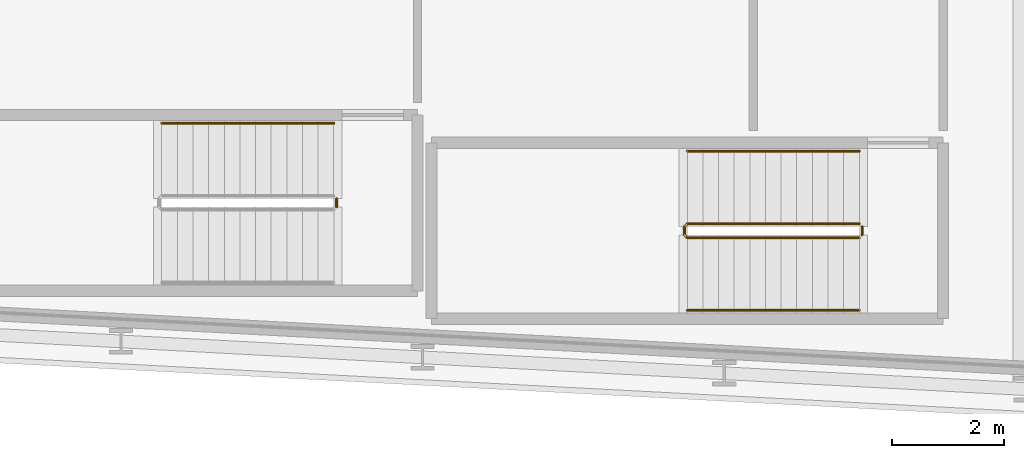
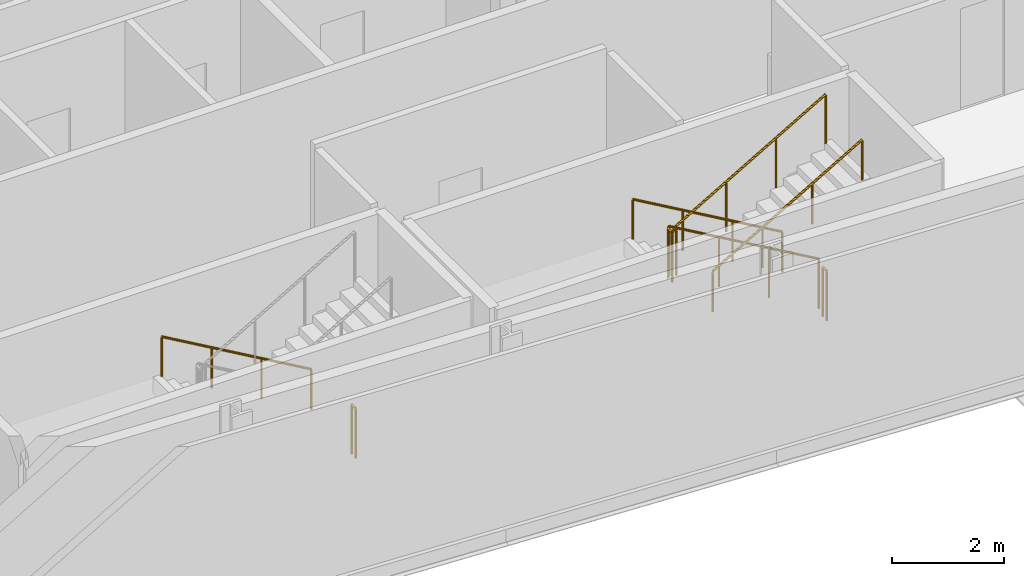
# One storey, part 26 of 29: 6 railings.
"""IFC4 building model written with IfcOpenShell, lengths in metres."""

from ifc_helpers import new_model, si_unit, direction, frame, origin, origin_2d, place, context, subcontext, project, spatial, circle, extrude, material, type_object, element, save


model = new_model("IFC4")

# Units and contexts
model_context = context("Model", 3, precision=1e-05, world=origin(), true_north=direction((0.0, 1.0)))
body_context = subcontext(model_context, "Body", "Model", "MODEL_VIEW")
ifc_project = project(units=[si_unit("LENGTHUNIT", "METRE"), si_unit("AREAUNIT", "SQUARE_METRE"), si_unit("VOLUMEUNIT", "CUBIC_METRE"), si_unit("PLANEANGLEUNIT", "RADIAN"), si_unit("MASSUNIT", "GRAM", prefix="KILO")], contexts=[model_context])

# Site, building, storey
site_placement = place(None, origin())
site = spatial("IfcSite", under=ifc_project, at=site_placement, CompositionType="ELEMENT")
building_placement = place(site_placement, origin())
building = spatial("IfcBuilding", under=site, at=building_placement, Name="Kheshtan School and Residences Tower", CompositionType="ELEMENT")
storey_placement = place(building_placement, frame((0.0, 0.0, 121.39990234375)))
storey = spatial("IfcBuildingStorey", under=building, at=storey_placement, Name="L28", CompositionType="ELEMENT", Elevation=121.39990234375)

# Railings
ifc_material_1 = material(Name="Stainless steel balustrade", Category="steel")
railing_type_1 = type_object("IfcRailingType", Name="Stair guard 1100", PredefinedType="GUARDRAIL", material=ifc_material_1)
railing_1_placement = place(storey_placement, frame((87.820068359375, 23.949951171875, 0.16259765625)))
element("IfcRailing", 1, at=railing_1_placement, inside=storey, type_object=railing_type_1, Name="L28 ST4 stair guard 1", PredefinedType="GUARDRAIL", context=body_context, shape_type="SweptSolid", body=[
    extrude(circle(Radius=0.02392578125, at=origin_2d()), frame((0.0, 0.0, 1.076171875), z_axis=(-0.864890721111, 0.0, 0.501960198159), x_axis=(0.0, -1.0, 0.0)), (0.0, 0.0, 1.0), 3.561279296875),
    extrude(circle(Radius=0.02392578125, at=origin_2d()), frame((-3.080078125, 0.0, 2.86376953125), z_axis=(-0.707106781187, -0.707106781187, 0.0), x_axis=(0.707106781187, -0.707106781187, 0.0)), (0.0, 0.0, 1.0), 0.07080078125),
    extrude(circle(Radius=0.02392578125, at=origin_2d()), frame((-3.130126953125, -0.050048828125, 2.86376953125), z_axis=(0.0, -1.0, 0.0), x_axis=(1.0, 0.0, 0.0)), (0.0, 0.0, 1.0), 0.14990234375),
    extrude(circle(Radius=0.02392578125, at=origin_2d()), frame((-3.130126953125, -0.199951171875, 2.86376953125), z_axis=(0.282583949758, -0.282583949758, 0.916674763849), x_axis=(0.707106781187, 0.707106781187, 0.0)), (0.0, 0.0, 1.0), 0.177001953125),
    extrude(circle(Radius=0.02392578125, at=origin_2d()), frame((-3.080078125, -0.25, 3.02587890625), z_axis=(0.864890721111, 0.0, 0.501960198159), x_axis=(0.0, 1.0, 0.0)), (0.0, 0.0, 1.0), 3.561279296875),
    extrude(circle(Radius=0.02099609375, at=origin_2d()), origin(), (0.0, 0.0, 1.0), 1.052001953125),
    extrude(circle(Radius=0.02099609375, at=origin_2d()), frame((-1.026611328125, 0.0, 0.595947265625)), (0.0, 0.0, 1.0), 1.052001953125),
    extrude(circle(Radius=0.02099609375, at=origin_2d()), frame((-2.053466796875, 0.0, 1.191650390625)), (0.0, 0.0, 1.0), 1.052001953125),
    extrude(circle(Radius=0.02099609375, at=origin_2d()), frame((-3.080078125, 0.0, 1.78759765625)), (0.0, 0.0, 1.0), 1.052001953125),
    extrude(circle(Radius=0.02099609375, at=origin_2d()), frame((-3.130126953125, -0.050048828125, 1.78759765625)), (0.0, 0.0, 1.0), 1.052001953125),
    extrude(circle(Radius=0.02099609375, at=origin_2d()), frame((-3.130126953125, -0.199951171875, 1.78759765625)), (0.0, 0.0, 1.0), 1.052001953125),
    extrude(circle(Radius=0.02099609375, at=origin_2d()), frame((-3.080078125, -0.25, 1.949951171875)), (0.0, 0.0, 1.0), 1.052001953125),
    extrude(circle(Radius=0.02099609375, at=origin_2d()), frame((-2.053466796875, -0.25, 2.5458984375)), (0.0, 0.0, 1.0), 1.052001953125),
    extrude(circle(Radius=0.02099609375, at=origin_2d()), frame((-1.026611328125, -0.25, 3.1416015625)), (0.0, 0.0, 1.0), 1.052001953125),
    extrude(circle(Radius=0.02099609375, at=origin_2d()), frame((0.0, -0.25, 3.737548828125)), (0.0, 0.0, 1.0), 1.052001953125),
])
for number, where, name in (
    (2, (87.8701171875, 23.89990234375, 0.0), "L28 ST4 stair guard 2"),
    (3, (78.4599609375, 24.39990234375, 0.0), "L28 ST5 stair guard 2"),
):
    element("IfcRailing", number, at=place(storey_placement, frame(where)), inside=storey, type_object=railing_type_1, Name=name, PredefinedType="GUARDRAIL", context=body_context, shape_type="SweptSolid", body=[
        extrude(circle(Radius=0.02392578125, at=origin_2d()), frame((0.0, 0.0, 1.076171875), z_axis=(0.0, -1.0, 0.0), x_axis=(1.0, 0.0, 0.0)), (0.0, 0.0, 1.0), 0.14990234375),
        extrude(circle(Radius=0.02099609375, at=origin_2d()), origin(), (0.0, 0.0, 1.0), 1.052001953125),
        extrude(circle(Radius=0.02099609375, at=origin_2d()), frame((0.0, -0.14990234375, 0.0)), (0.0, 0.0, 1.0), 1.052001953125),
    ])
ifc_material_2 = material(Name="Stainless steel handrail", Category="steel")
railing_type_2 = type_object("IfcRailingType", Name="Stair handrail 900", PredefinedType="HANDRAIL", material=ifc_material_2)
railing_2_placement = place(storey_placement, frame((87.820068359375, 25.25, 0.16259765625)))
element("IfcRailing", 4, at=railing_2_placement, inside=storey, type_object=railing_type_2, Name="L28 ST4 stair handrail 1", PredefinedType="HANDRAIL", context=body_context, shape_type="SweptSolid", body=[
    extrude(circle(Radius=0.02392578125, at=origin_2d()), frame((0.0, 0.0, 0.8759765625), z_axis=(-0.864890721111, 0.0, 0.501960198159), x_axis=(0.0, -1.0, 0.0)), (0.0, 0.0, 1.0), 3.561279296875),
    extrude(circle(Radius=0.02099609375, at=origin_2d()), origin(), (0.0, 0.0, 1.0), 0.851806640625),
    extrude(circle(Radius=0.02099609375, at=origin_2d()), frame((-1.026611328125, 0.0, 0.595947265625)), (0.0, 0.0, 1.0), 0.851806640625),
    extrude(circle(Radius=0.02099609375, at=origin_2d()), frame((-2.053466796875, 0.0, 1.191650390625)), (0.0, 0.0, 1.0), 0.851806640625),
    extrude(circle(Radius=0.02099609375, at=origin_2d()), frame((-3.080078125, 0.0, 1.78759765625)), (0.0, 0.0, 1.0), 0.851806640625),
])
railing_3_placement = place(storey_placement, frame((84.739990234375, 22.39990234375, 2.112548828125)))
element("IfcRailing", 5, at=railing_3_placement, inside=storey, type_object=railing_type_2, Name="L28 ST4 stair handrail 2", PredefinedType="HANDRAIL", context=body_context, shape_type="SweptSolid", body=[
    extrude(circle(Radius=0.02392578125, at=origin_2d()), frame((0.0, 0.0, 0.8759765625), z_axis=(0.864890721111, 0.0, 0.501960198159), x_axis=(0.0, 1.0, 0.0)), (0.0, 0.0, 1.0), 3.561279296875),
    extrude(circle(Radius=0.02099609375, at=origin_2d()), origin(), (0.0, 0.0, 1.0), 0.851806640625),
    extrude(circle(Radius=0.02099609375, at=origin_2d()), frame((1.026611328125, 0.0, 0.595947265625)), (0.0, 0.0, 1.0), 0.851806640625),
    extrude(circle(Radius=0.02099609375, at=origin_2d()), frame((2.053466796875, 0.0, 1.191650390625)), (0.0, 0.0, 1.0), 0.851806640625),
    extrude(circle(Radius=0.02099609375, at=origin_2d()), frame((3.080078125, 0.0, 1.78759765625)), (0.0, 0.0, 1.0), 0.851806640625),
])
railing_4_placement = place(storey_placement, frame((78.409912109375, 25.75, 0.16259765625)))
element("IfcRailing", 6, at=railing_4_placement, inside=storey, type_object=railing_type_2, Name="L28 ST5 stair handrail 1", PredefinedType="HANDRAIL", context=body_context, shape_type="SweptSolid", body=[
    extrude(circle(Radius=0.02392578125, at=origin_2d()), frame((0.0, 0.0, 0.8759765625), z_axis=(-0.864873446163, 0.0, 0.501989962173), x_axis=(0.0, -1.0, 0.0)), (0.0, 0.0, 1.0), 3.56103515625),
    extrude(circle(Radius=0.02099609375, at=origin_2d()), origin(), (0.0, 0.0, 1.0), 0.851806640625),
    extrude(circle(Radius=0.02099609375, at=origin_2d()), frame((-1.026611328125, 0.0, 0.595947265625)), (0.0, 0.0, 1.0), 0.851806640625),
    extrude(circle(Radius=0.02099609375, at=origin_2d()), frame((-2.05322265625, 0.0, 1.191650390625)), (0.0, 0.0, 1.0), 0.851806640625),
    extrude(circle(Radius=0.02099609375, at=origin_2d()), frame((-3.079833984375, 0.0, 1.78759765625)), (0.0, 0.0, 1.0), 0.851806640625),
])

save(model, "model.ifc")
